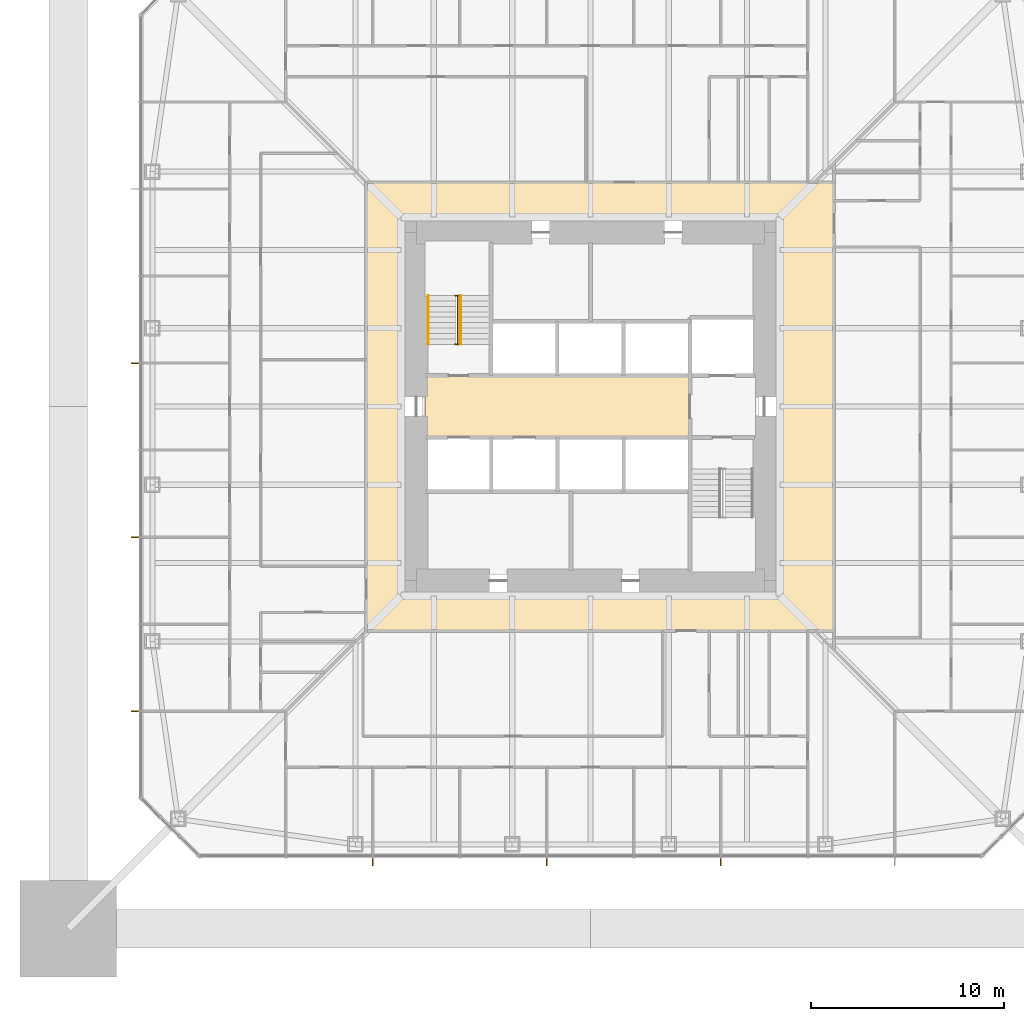
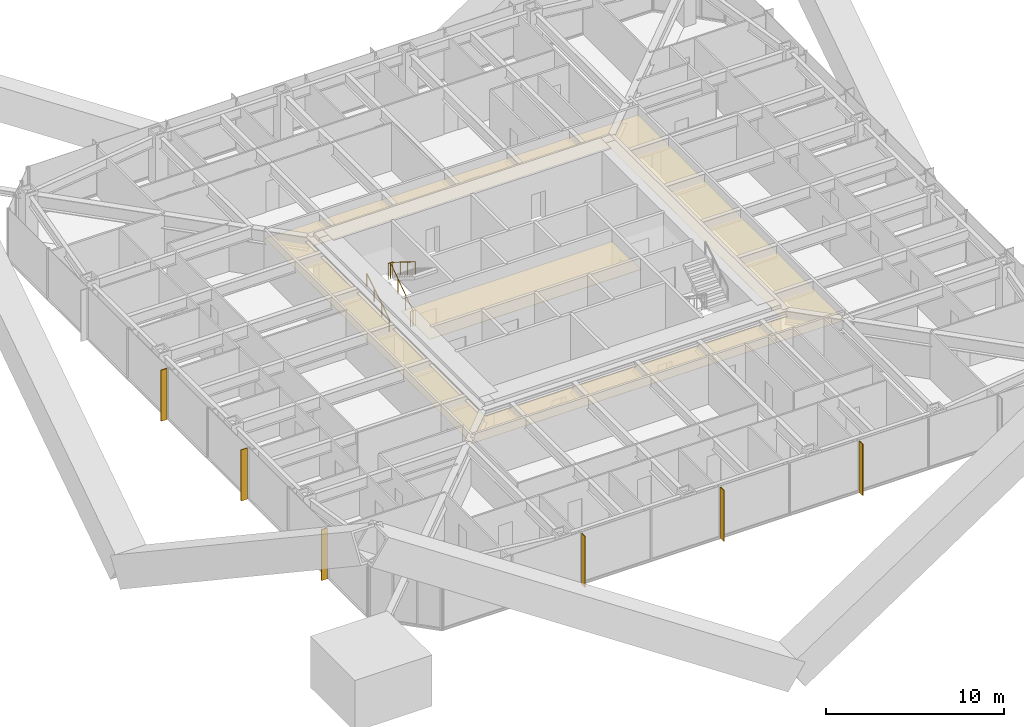
# One storey, part 24 of 27: 6 shading devices, 3 railings, 2 coverings.
"""IFC4 building model written with IfcOpenShell, lengths in metres."""

from ifc_helpers import new_model, si_unit, direction, frame, origin, origin_2d, place, context, subcontext, project, spatial, polyline, rectangle, circle, outline, extrude, material, layer, layer_set, constituent, constituent_set, type_object, element, save


model = new_model("IFC4")

# Units and contexts
model_context = context("Model", 3, precision=1e-05, world=origin(), true_north=direction((0.0, 1.0)))
body_context = subcontext(model_context, "Body", "Model", "MODEL_VIEW")
ifc_project = project(units=[si_unit("LENGTHUNIT", "METRE"), si_unit("AREAUNIT", "SQUARE_METRE"), si_unit("VOLUMEUNIT", "CUBIC_METRE"), si_unit("PLANEANGLEUNIT", "RADIAN"), si_unit("MASSUNIT", "GRAM", prefix="KILO")], contexts=[model_context])

# Site, building, storey
site_placement = place(None, origin())
site = spatial("IfcSite", under=ifc_project, at=site_placement, CompositionType="ELEMENT")
building_placement = place(site_placement, origin())
building = spatial("IfcBuilding", under=site, at=building_placement, Name="Iwan Alto Co-Living Towers", CompositionType="ELEMENT")
storey_placement = place(building_placement, frame((0.0, 0.0, 25.5)))
storey = spatial("IfcBuildingStorey", under=building, at=storey_placement, Name="L06", CompositionType="ELEMENT", Elevation=25.5)

# Covering
ifc_material_1 = material(Name="Mineral fibre acoustic tiles on steel grid", Category="steel")
ifc_layer_1 = layer(ifc_material_1, 0.02001953125)
ifc_layer_set_1 = layer_set([ifc_layer_1], Name="ACOUSTIC TILE CEILING 20")
covering_type_1 = type_object("IfcCoveringType", Name="ACOUSTIC TILE CEILING 20", PredefinedType="CEILING", material=ifc_layer_set_1)
covering_1_placement = place(storey_placement, frame((0.0, 0.0, 2.60009765625)))
element("IfcCovering", 1, at=covering_1_placement, inside=storey, type_object=covering_type_1, Name="Ceiling Lift lobby L06", PredefinedType="CEILING", context=body_context, shape_type="SweptSolid", body=[
    extrude(outline(polyline([(-8.550048828125, -1.60009765625), (-8.550048828125, 1.60009765625), (5.14990234375, 1.60009765625), (5.14990234375, -1.60009765625), (-8.550048828125, -1.60009765625)])), origin(), (0.0, 0.0, 1.0), 0.02001953125),
])

# Shading devices
ifc_material_2 = material(Name="Aluminium 6063-T6 bronze anodised", Category="aluminium")
ifc_layer_2 = layer(ifc_material_2, 0.050048828125)
ifc_layer_set_2 = layer_set([ifc_layer_2], Name="BRONZE FIN 50X400")
shading_device_type = type_object("IfcShadingDeviceType", Name="BRONZE FIN 50X400", PredefinedType="USERDEFINED", material=ifc_layer_set_2)
for number, where, z_axis, x_axis, name in (
    (2, (-11.25, -23.550048828125, 0.0), (0.0, 0.0, 1.0), (1.0, 0.0, 0.0), "Bronze fin L06"),
    (3, (-2.25, -23.550048828125, 0.0), (0.0, 0.0, 1.0), (1.0, 0.0, 0.0), "Bronze fin L06"),
    (4, (6.75, -23.550048828125, 0.0), (0.0, 0.0, 1.0), (1.0, 0.0, 0.0), "Bronze fin L06"),
    (5, (-23.550048828125, 2.25, 0.0), (0.0, 0.0, 1.0), (0.0, -1.0, 0.0), "Bronze fin L06"),
    (6, (-23.550048828125, -6.75, 0.0), (0.0, 0.0, 1.0), (0.0, -1.0, 0.0), "Bronze fin L06"),
    (7, (-23.550048828125, -15.75, 0.0), (0.0, 0.0, 1.0), (0.0, -1.0, 0.0), "Bronze fin L06"),
):
    element("IfcShadingDevice", number, at=place(storey_placement, frame(where, z_axis=z_axis, x_axis=x_axis)), inside=storey, type_object=shading_device_type, Name=name, ObjectType="LOUVER", PredefinedType="USERDEFINED", context=body_context, shape_type="SweptSolid", body=[
        extrude(rectangle(XDim=0.050048828125, YDim=0.39990234375, at=origin_2d()), origin(), (0.0, 0.0, 1.0), 3.5),
    ])

# Railings
ifc_material_3 = material(Name="Steel ASTM A500 Gr C", Category="steel")
ifc_constituent_1 = constituent(ifc_material_3, Name="Rails and posts", Category="Framing")
ifc_material_4 = material(Name="Steel ASTM A36", Category="steel")
ifc_constituent_2 = constituent(ifc_material_4, Name="Bar infill", Category="Infill")
ifc_constituent_set = constituent_set(constituents=[ifc_constituent_1, ifc_constituent_2], Name="STAIR GUARD 1100")
railing_type_1 = type_object("IfcRailingType", Name="STAIR GUARD 1100", PredefinedType="GUARDRAIL", material=ifc_constituent_set)
railing_1_placement = place(storey_placement, frame((-6.85009765625, 3.219970703125, 0.0)))
element("IfcRailing", 8, at=railing_1_placement, inside=storey, type_object=railing_type_1, Name="Stair T1-S1 well guard L06", PredefinedType="GUARDRAIL", context=body_context, shape_type="SweptSolid", body=[
    extrude(circle(Radius=0.02392578125, at=origin_2d()), frame((0.0, 0.0, 1.076171875), z_axis=(0.0, 0.821372036852, 0.570392826987), x_axis=(-1.0, 0.0, 0.0)), (0.0, 0.0, 1.0), 3.068115234375),
    extrude(circle(Radius=0.02392578125, at=origin_2d()), frame((-0.14990234375, 0.0, 1.076171875), z_axis=(1.0, 0.0, 0.0), x_axis=(0.0, 1.0, 0.0)), (0.0, 0.0, 1.0), 0.300048828125),
    extrude(circle(Radius=0.02392578125, at=origin_2d()), frame((-0.14990234375, 2.52001953125, 2.826171875), z_axis=(1.0, 0.0, 0.0), x_axis=(0.0, 1.0, 0.0)), (0.0, 0.0, 1.0), 0.300048828125),
    extrude(circle(Radius=0.02099609375, at=origin_2d()), origin(), (0.0, 0.0, 1.0), 1.052001953125),
    extrude(circle(Radius=0.02099609375, at=origin_2d()), frame((0.0, 0.840087890625, 0.583251953125)), (0.0, 0.0, 1.0), 1.052001953125),
    extrude(circle(Radius=0.02099609375, at=origin_2d()), frame((0.0, 1.679931640625, 1.166748046875)), (0.0, 0.0, 1.0), 1.052001953125),
    extrude(circle(Radius=0.02099609375, at=origin_2d()), frame((0.0, 2.52001953125, 1.75)), (0.0, 0.0, 1.0), 1.052001953125),
    extrude(circle(Radius=0.02099609375, at=origin_2d()), frame((-0.14990234375, 0.0, 0.0)), (0.0, 0.0, 1.0), 1.052001953125),
    extrude(circle(Radius=0.02099609375, at=origin_2d()), frame((0.150146484375, 0.0, 0.0)), (0.0, 0.0, 1.0), 1.052001953125),
    extrude(circle(Radius=0.02099609375, at=origin_2d()), frame((-0.14990234375, 2.52001953125, 1.75)), (0.0, 0.0, 1.0), 1.052001953125),
    extrude(circle(Radius=0.02099609375, at=origin_2d()), frame((0.150146484375, 2.52001953125, 1.75)), (0.0, 0.0, 1.0), 1.052001953125),
])
ifc_material_5 = material(Name="Steel ASTM A500 Gr C", Category="steel")
railing_type_2 = type_object("IfcRailingType", Name="STAIR HANDRAIL 900", PredefinedType="HANDRAIL", material=ifc_material_5)
railing_2_placement = place(storey_placement, frame((-8.3798828125, 3.219970703125, 0.175048828125)))
element("IfcRailing", 9, at=railing_2_placement, inside=storey, type_object=railing_type_2, Name="Stair T1-S1 handrail 1 L06", PredefinedType="HANDRAIL", context=body_context, shape_type="SweptSolid", body=[
    extrude(circle(Radius=0.02392578125, at=origin_2d()), frame((0.0, 0.0, 0.8759765625), z_axis=(0.0, 0.848007534815, 0.529984170421), x_axis=(-1.0, 0.0, 0.0)), (0.0, 0.0, 1.0), 2.9716796875),
    extrude(circle(Radius=0.02099609375, at=origin_2d()), origin(), (0.0, 0.0, 1.0), 0.851806640625),
    extrude(circle(Radius=0.02099609375, at=origin_2d()), frame((0.0, 0.840087890625, 0.52490234375)), (0.0, 0.0, 1.0), 0.851806640625),
    extrude(circle(Radius=0.02099609375, at=origin_2d()), frame((0.0, 1.679931640625, 1.050048828125)), (0.0, 0.0, 1.0), 0.851806640625),
    extrude(circle(Radius=0.02099609375, at=origin_2d()), frame((0.0, 2.52001953125, 1.574951171875)), (0.0, 0.0, 1.0), 0.851806640625),
])
railing_3_placement = place(storey_placement, frame((-6.699951171875, 5.739990234375, 1.925048828125)))
element("IfcRailing", 10, at=railing_3_placement, inside=storey, type_object=railing_type_2, Name="Stair T1-S1 handrail 2 L06", PredefinedType="HANDRAIL", context=body_context, shape_type="SweptSolid", body=[
    extrude(circle(Radius=0.02392578125, at=origin_2d()), frame((0.0, 0.0, 0.8759765625), z_axis=(0.0, -0.848007534815, 0.529984170421), x_axis=(1.0, 0.0, 0.0)), (0.0, 0.0, 1.0), 2.9716796875),
    extrude(circle(Radius=0.02099609375, at=origin_2d()), origin(), (0.0, 0.0, 1.0), 0.851806640625),
    extrude(circle(Radius=0.02099609375, at=origin_2d()), frame((0.0, -0.840087890625, 0.52490234375)), (0.0, 0.0, 1.0), 0.851806640625),
    extrude(circle(Radius=0.02099609375, at=origin_2d()), frame((0.0, -1.679931640625, 1.050048828125)), (0.0, 0.0, 1.0), 0.851806640625),
    extrude(circle(Radius=0.02099609375, at=origin_2d()), frame((0.0, -2.52001953125, 1.574951171875)), (0.0, 0.0, 1.0), 0.851806640625),
])

# Covering
ifc_material_6 = material(Name="Gypsum plasterboard on steel grid", Category="steel")
ifc_layer_3 = layer(ifc_material_6, 0.014892578125)
ifc_layer_set_3 = layer_set([ifc_layer_3], Name="SUSPENDED PLASTERBOARD CEILING 15")
covering_type_2 = type_object("IfcCoveringType", Name="SUSPENDED PLASTERBOARD CEILING 15", PredefinedType="CEILING", material=ifc_layer_set_3)
covering_2_placement = place(storey_placement, frame((0.0, 0.0, 2.60009765625)))
element("IfcCovering", 11, at=covering_2_placement, inside=storey, type_object=covering_type_2, Name="Ceiling Corridor L06", PredefinedType="CEILING", context=body_context, shape_type="SweptSolid", body=[
    extrude(outline(polyline([(-11.60009765625, 11.60009765625), (12.60009765625, 11.60009765625), (12.60009765625, -11.60009765625), (-11.60009765625, -11.60009765625), (-11.60009765625, 11.60009765625)]), holes=[polyline([(-9.60009765625, 9.60009765625), (-9.60009765625, -9.60009765625), (9.60009765625, -9.60009765625), (9.60009765625, 9.60009765625), (-9.60009765625, 9.60009765625)])]), origin(), (0.0, 0.0, 1.0), 0.014892578125),
])

save(model, "model.ifc")
